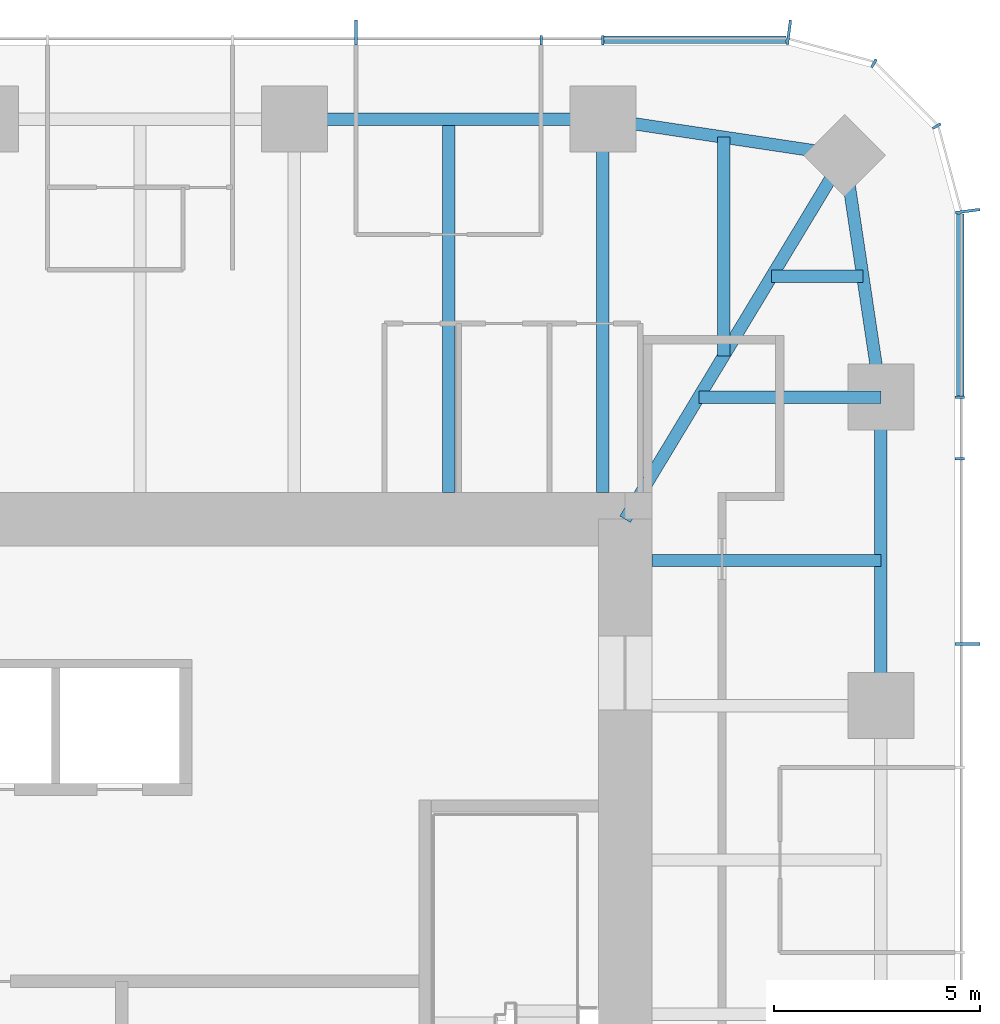
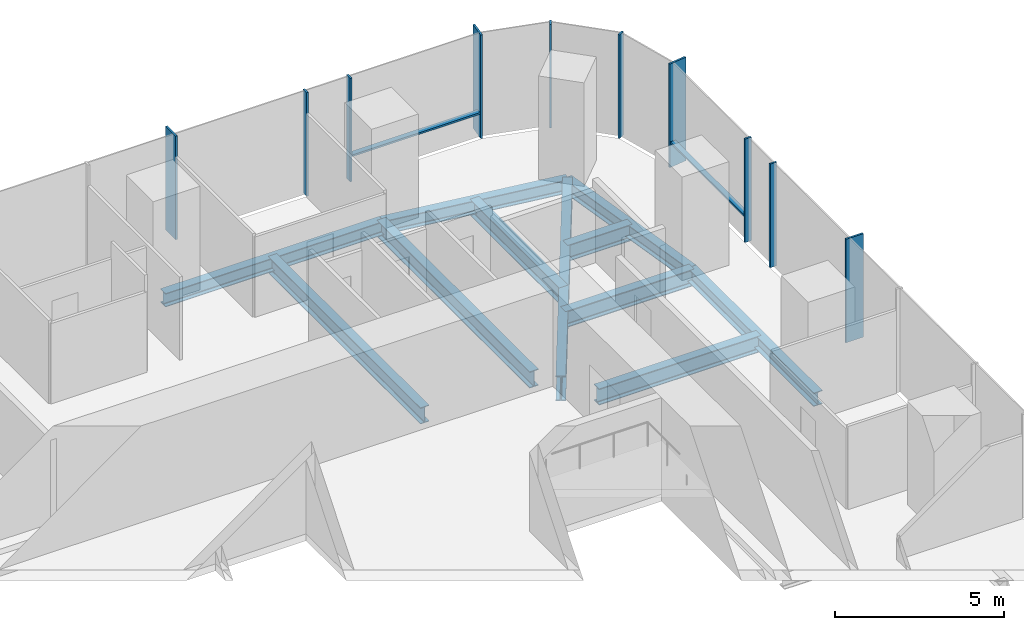
# One storey, part 6 of 12: 12 members, 11 beams, 3 elements without a shape of their own.
"""IFC4 building model written with IfcOpenShell, lengths in metres."""

from ifc_helpers import new_model, si_unit, direction, frame, origin, origin_2d, place, context, subcontext, project, spatial, rectangle, i_section, extrude, material, material_profile, profile_set, type_object, element, aggregate, save


model = new_model("IFC4")

# Units and contexts
model_context = context("Model", 3, precision=1e-05, world=origin(), true_north=direction((0.0, 1.0)))
body_context = subcontext(model_context, "Body", "Model", "MODEL_VIEW")
ifc_project = project(units=[si_unit("LENGTHUNIT", "METRE"), si_unit("AREAUNIT", "SQUARE_METRE"), si_unit("VOLUMEUNIT", "CUBIC_METRE"), si_unit("PLANEANGLEUNIT", "RADIAN"), si_unit("MASSUNIT", "GRAM", prefix="KILO")], contexts=[model_context])

# Site, building, storey
site_placement = place(None, origin())
site = spatial("IfcSite", under=ifc_project, at=site_placement, CompositionType="ELEMENT")
building_placement = place(site_placement, origin())
building = spatial("IfcBuilding", under=site, at=building_placement, Name="Khuree Lantern Residences", CompositionType="ELEMENT")
storey_placement = place(building_placement, frame((0.0, 0.0, 304.5)))
storey = spatial("IfcBuildingStorey", under=building, at=storey_placement, Name="L76", CompositionType="ELEMENT", Elevation=304.5)

# Beams
ifc_material_1 = material(Name="Steel S355", Category="steel")
ifc_material_profile_1 = material_profile(ifc_material_1, i_section(OverallWidth=0.300048828125, OverallDepth=0.590087890625, WebThickness=0.012939453125, FlangeThickness=0.02490234375, FilletRadius=0.027099609375, at=origin_2d()), Name="HE 600 A")
ifc_profile_set_1 = profile_set([ifc_material_profile_1], Name="Steel S355")
beam_type_1 = type_object("IfcBeamType", Name="B-42 SECONDARY BEAM HE 600 A", PredefinedType="BEAM", material=ifc_profile_set_1)
beam_1_placement = place(storey_placement, frame((11.219970703125, 21.699951171875, -0.544921875), z_axis=(0.0, -1.0, 0.0), x_axis=(1.0, 0.0, 0.0)))
element("IfcBeam", 1, at=beam_1_placement, inside=storey, type_object=beam_type_1, Name="Secondary beam N4", PredefinedType="BEAM", context=body_context, shape_type="SweptSolid", body=[
    extrude(i_section(OverallWidth=0.300048828125, OverallDepth=0.590087890625, WebThickness=0.012939453125, FlangeThickness=0.02490234375, FilletRadius=0.027099609375, at=origin_2d()), origin(), (0.0, 0.0, 1.0), 9.050048828125),
])
beam_2_placement = place(storey_placement, frame((17.890625, 21.2607421875, -0.544921875), z_axis=(0.0, -1.0, 0.0), x_axis=(1.0, 0.0, 0.0)))
element("IfcBeam", 2, at=beam_2_placement, inside=storey, type_object=beam_type_1, Name="Secondary beam N5", PredefinedType="BEAM", context=body_context, shape_type="SweptSolid", body=[
    extrude(i_section(OverallWidth=0.300048828125, OverallDepth=0.590087890625, WebThickness=0.012939453125, FlangeThickness=0.02490234375, FilletRadius=0.027099609375, at=origin_2d()), origin(), (0.0, 0.0, 1.0), 5.297607421875),
])
beam_3_placement = place(storey_placement, frame((21.2607421875, 17.890625, -0.544921875), z_axis=(-1.0, 0.0, 0.0), x_axis=(0.0, -1.0, 0.0)))
element("IfcBeam", 3, at=beam_3_placement, inside=storey, type_object=beam_type_1, Name="Secondary beam E1", PredefinedType="BEAM", context=body_context, shape_type="SweptSolid", body=[
    extrude(i_section(OverallWidth=0.300048828125, OverallDepth=0.590087890625, WebThickness=0.012939453125, FlangeThickness=0.02490234375, FilletRadius=0.027099609375, at=origin_2d()), origin(), (0.0, 0.0, 1.0), 2.207275390625),
])
beam_4_placement = place(storey_placement, frame((21.699951171875, 11.0, -0.544921875), z_axis=(-1.0, 0.0, 0.0), x_axis=(0.0, -1.0, 0.0)))
element("IfcBeam", 4, at=beam_4_placement, inside=storey, type_object=beam_type_1, Name="Secondary beam E2", PredefinedType="BEAM", context=body_context, shape_type="SweptSolid", body=[
    extrude(i_section(OverallWidth=0.300048828125, OverallDepth=0.590087890625, WebThickness=0.012939453125, FlangeThickness=0.02490234375, FilletRadius=0.027099609375, at=origin_2d()), origin(), (0.0, 0.0, 1.0), 5.550048828125),
])
ifc_material_profile_2 = material_profile(ifc_material_1, i_section(OverallWidth=0.300048828125, OverallDepth=0.489990234375, WebThickness=0.011962890625, FlangeThickness=0.02294921875, FilletRadius=0.027099609375, at=origin_2d()), Name="HE 500 A")
ifc_profile_set_2 = profile_set([ifc_material_profile_2], Name="Steel S355")
beam_type_2 = type_object("IfcBeamType", Name="E-42 SPANDREL BEAM HE 500 A", PredefinedType="SPANDREL", material=ifc_profile_set_2)
beam_5_placement = place(storey_placement, frame((7.47998046875, 21.699951171875, -0.4951171875), z_axis=(1.0, 0.0, 0.0), x_axis=(0.0, 1.0, 0.0)))
element("IfcBeam", 5, at=beam_5_placement, inside=storey, type_object=beam_type_2, Name="Spandrel beam N4", PredefinedType="SPANDREL", context=body_context, shape_type="SweptSolid", body=[
    extrude(i_section(OverallWidth=0.300048828125, OverallDepth=0.489990234375, WebThickness=0.011962890625, FlangeThickness=0.02294921875, FilletRadius=0.027099609375, at=origin_2d()), origin(), (0.0, 0.0, 1.0), 7.47998046875),
])
for number, where, z_axis, x_axis, name in (
    (6, (14.9599609375, 21.699951171875, -0.4951171875), (0.988949643299, -0.148251822985, 0.0), (0.148251822985, 0.988949643299, 0.0), "Spandrel beam N5"),
    (7, (20.8212890625, 20.8212890625, -0.4951171875), (0.148251822985, -0.988949643299, 0.0), (0.988949643299, 0.148251822985, 0.0), "Spandrel beam E1"),
):
    element("IfcBeam", number, at=place(storey_placement, frame(where, z_axis=z_axis, x_axis=x_axis)), inside=storey, type_object=beam_type_2, Name=name, PredefinedType="SPANDREL", context=body_context, shape_type="SweptSolid", body=[
        extrude(i_section(OverallWidth=0.300048828125, OverallDepth=0.489990234375, WebThickness=0.011962890625, FlangeThickness=0.02294921875, FilletRadius=0.027099609375, at=origin_2d()), origin(), (0.0, 0.0, 1.0), 5.9267578125),
    ])
beam_6_placement = place(storey_placement, frame((21.699951171875, 14.9599609375, -0.4951171875), z_axis=(0.0, -1.0, 0.0), x_axis=(1.0, 0.0, 0.0)))
element("IfcBeam", 8, at=beam_6_placement, inside=storey, type_object=beam_type_2, Name="Spandrel beam E2", PredefinedType="SPANDREL", context=body_context, shape_type="SweptSolid", body=[
    extrude(i_section(OverallWidth=0.300048828125, OverallDepth=0.489990234375, WebThickness=0.011962890625, FlangeThickness=0.02294921875, FilletRadius=0.027099609375, at=origin_2d()), origin(), (0.0, 0.0, 1.0), 7.47998046875),
])

# Curtain wall, member
ifc_material_2 = material(Name="Bronze anodised aluminium", Category="aluminium")
curtain_wall_type_1 = type_object("IfcCurtainWallType", Name="CW-T1 TOWER FACE CURTAIN WALL", PredefinedType="USERDEFINED", material=ifc_material_2)
curtain_wall_1_placement = place(storey_placement, origin())
curtain_wall_1 = element("IfcCurtainWall", 9, at=curtain_wall_1_placement, inside=storey, type_object=curtain_wall_type_1, Name="L76 EAST FACE CURTAIN WALL", ObjectType="Stick-built curtain wall", PredefinedType="USERDEFINED")
ifc_material_profile_3 = material_profile(ifc_material_2, rectangle(XDim=0.06494140625, YDim=0.60009765625, at=origin_2d()), Name="F1 65X600")
ifc_profile_set_3 = profile_set([ifc_material_profile_3], Name="Bronze anodised aluminium")
member_type_1 = type_object("IfcMemberType", Name="F1 BRONZE FIN MULLION TOWER 65X600", PredefinedType="MULLION", material=ifc_profile_set_3)
member_1_placement = place(storey_placement, frame((23.800048828125, 8.97607421875, 0.0), z_axis=(0.0, 0.0, 1.0), x_axis=(0.0, 1.0, 0.0)))
member_1 = element("IfcMember", 10, at=member_1_placement, type_object=member_type_1, Name="L76 EAST FACE FIN MULLION 12", PredefinedType="MULLION", context=body_context, shape_type="SweptSolid", body=[
    extrude(rectangle(XDim=0.06494140625, YDim=0.60009765625, at=origin_2d()), origin(), (0.0, 0.0, 1.0), 3.75),
])

curtain_wall_type_2 = type_object("IfcCurtainWallType", Name="CW-T2 TOWER CORNER CURTAIN WALL", PredefinedType="USERDEFINED", material=ifc_material_2)
curtain_wall_2_placement = place(storey_placement, origin())
curtain_wall_2 = element("IfcCurtainWall", 11, at=curtain_wall_2_placement, inside=storey, type_object=curtain_wall_type_2, Name="L76 NORTH-EAST CORNER CURTAIN WALL", ObjectType="Faceted corner curtain wall", PredefinedType="USERDEFINED")
member_2_placement = place(storey_placement, frame((23.800048828125, 19.4697265625, 0.0), z_axis=(0.0, 0.0, 1.0), x_axis=(-0.130526125236, 0.991444870192, 0.0)))
member_2 = element("IfcMember", 12, at=member_2_placement, type_object=member_type_1, Name="L76 NORTH-EAST CORNER FIN MULLION 15", PredefinedType="MULLION", context=body_context, shape_type="SweptSolid", body=[
    extrude(rectangle(XDim=0.06494140625, YDim=0.60009765625, at=origin_2d()), origin(), (0.0, 0.0, 1.0), 3.75),
])

# Curtain wall, members
curtain_wall_3_placement = place(storey_placement, origin())
curtain_wall_3 = element("IfcCurtainWall", 13, at=curtain_wall_3_placement, inside=storey, type_object=curtain_wall_type_1, Name="L76 NORTH FACE CURTAIN WALL", ObjectType="Stick-built curtain wall", PredefinedType="USERDEFINED")
member_3_placement = place(storey_placement, frame((19.4697265625, 23.800048828125, 0.0), z_axis=(0.0, 0.0, 1.0), x_axis=(-0.991444870192, 0.130526125236, 0.0)))
member_3 = element("IfcMember", 14, at=member_3_placement, type_object=member_type_1, Name="L76 NORTH FACE FIN MULLION 18", PredefinedType="MULLION", context=body_context, shape_type="SweptSolid", body=[
    extrude(rectangle(XDim=0.06494140625, YDim=0.60009765625, at=origin_2d()), origin(), (0.0, 0.0, 1.0), 3.75),
])
member_4_placement = place(storey_placement, frame((8.97607421875, 23.800048828125, 0.0), z_axis=(0.0, 0.0, 1.0), x_axis=(-1.0, 0.0, 0.0)))
member_4 = element("IfcMember", 15, at=member_4_placement, type_object=member_type_1, Name="L76 NORTH FACE FIN MULLION 21", PredefinedType="MULLION", context=body_context, shape_type="SweptSolid", body=[
    extrude(rectangle(XDim=0.06494140625, YDim=0.60009765625, at=origin_2d()), origin(), (0.0, 0.0, 1.0), 3.75),
])

# Beams
ifc_material_profile_4 = material_profile(ifc_material_1, i_section(OverallWidth=0.300048828125, OverallDepth=0.60009765625, WebThickness=0.015380859375, FlangeThickness=0.030029296875, FilletRadius=0.027099609375, at=origin_2d()), Name="HE 600 B")
ifc_profile_set_4 = profile_set([ifc_material_profile_4], Name="Steel S355")
beam_type_3 = type_object("IfcBeamType", Name="G-42 GIRDER HE 600 B", PredefinedType="BEAM", material=ifc_profile_set_4)
beam_7_placement = place(storey_placement, frame((14.9599609375, 21.699951171875, -0.550048828125), z_axis=(0.0, -1.0, 0.0), x_axis=(1.0, 0.0, 0.0)))
element("IfcBeam", 16, at=beam_7_placement, inside=storey, type_object=beam_type_3, Name="Girder N5", PredefinedType="BEAM", context=body_context, shape_type="SweptSolid", body=[
    extrude(i_section(OverallWidth=0.300048828125, OverallDepth=0.60009765625, WebThickness=0.015380859375, FlangeThickness=0.030029296875, FilletRadius=0.027099609375, at=origin_2d()), origin(), (0.0, 0.0, 1.0), 9.050048828125),
])
beam_8_placement = place(storey_placement, frame((21.699951171875, 14.9599609375, -0.550048828125), z_axis=(-1.0, 0.0, 0.0), x_axis=(0.0, -1.0, 0.0)))
element("IfcBeam", 17, at=beam_8_placement, inside=storey, type_object=beam_type_3, Name="Girder E1", PredefinedType="BEAM", context=body_context, shape_type="SweptSolid", body=[
    extrude(i_section(OverallWidth=0.300048828125, OverallDepth=0.60009765625, WebThickness=0.015380859375, FlangeThickness=0.030029296875, FilletRadius=0.027099609375, at=origin_2d()), origin(), (0.0, 0.0, 1.0), 4.414306640625),
])
ifc_material_profile_5 = material_profile(ifc_material_1, i_section(OverallWidth=0.300048828125, OverallDepth=0.89990234375, WebThickness=0.0185546875, FlangeThickness=0.034912109375, FilletRadius=0.030029296875, at=origin_2d()), Name="HE 900 B")
ifc_profile_set_5 = profile_set([ifc_material_profile_5], Name="Steel S355")
beam_type_4 = type_object("IfcBeamType", Name="GD-42 CORNER GIRDER HE 900 B", PredefinedType="BEAM", material=ifc_profile_set_5)
beam_9_placement = place(storey_placement, frame((20.8212890625, 20.8212890625, -0.699951171875), z_axis=(-0.516529577604, -0.856269347495, 0.0), x_axis=(0.856269347495, -0.516529577604, 0.0)))
element("IfcBeam", 18, at=beam_9_placement, inside=storey, type_object=beam_type_4, Name="Corner girder NE", PredefinedType="BEAM", context=body_context, shape_type="SweptSolid", body=[
    extrude(i_section(OverallWidth=0.300048828125, OverallDepth=0.89990234375, WebThickness=0.0185546875, FlangeThickness=0.034912109375, FilletRadius=0.030029296875, at=origin_2d()), origin(), (0.0, 0.0, 1.0), 10.302001953125),
])

# Member
ifc_material_profile_6 = material_profile(ifc_material_2, rectangle(XDim=0.06494140625, YDim=0.219970703125, at=origin_2d()), Name="M1 65X220")
ifc_profile_set_6 = profile_set([ifc_material_profile_6], Name="Bronze anodised aluminium")
member_type_2 = type_object("IfcMemberType", Name="M1 BRONZE MULLION TOWER 65X220", PredefinedType="MULLION", material=ifc_profile_set_6)
member_5_placement = place(storey_placement, frame((23.610107421875, 13.464111328125, 0.0), z_axis=(0.0, 0.0, 1.0), x_axis=(0.0, 1.0, 0.0)))
member_5 = element("IfcMember", 19, at=member_5_placement, type_object=member_type_2, Name="L76 EAST FACE MULLION 13", PredefinedType="MULLION", context=body_context, shape_type="SweptSolid", body=[
    extrude(rectangle(XDim=0.06494140625, YDim=0.219970703125, at=origin_2d()), origin(), (0.0, 0.0, 1.0), 3.75),
])

member_6_placement = place(storey_placement, frame((23.610107421875, 14.9599609375, 0.0), z_axis=(0.0, 0.0, 1.0), x_axis=(0.0, 1.0, 0.0)))
member_6 = element("IfcMember", 20, at=member_6_placement, type_object=member_type_2, Name="L76 EAST FACE MULLION 14", PredefinedType="MULLION", context=body_context, shape_type="SweptSolid", body=[
    extrude(rectangle(XDim=0.06494140625, YDim=0.219970703125, at=origin_2d()), origin(), (0.0, 0.0, 1.0), 3.75),
])

member_7_placement = place(storey_placement, frame((23.052734375, 21.530029296875, 0.0), z_axis=(0.0, 0.0, 1.0), x_axis=(-0.49999994149, 0.866025437565, 0.0)))
member_7 = element("IfcMember", 21, at=member_7_placement, type_object=member_type_2, Name="L76 NORTH-EAST CORNER MULLION 16", PredefinedType="MULLION", context=body_context, shape_type="SweptSolid", body=[
    extrude(rectangle(XDim=0.06494140625, YDim=0.219970703125, at=origin_2d()), origin(), (0.0, 0.0, 1.0), 3.75),
])

member_8_placement = place(storey_placement, frame((21.530029296875, 23.052734375, 0.0), z_axis=(0.0, 0.0, 1.0), x_axis=(-0.866025437565, 0.49999994149, 0.0)))
member_8 = element("IfcMember", 22, at=member_8_placement, type_object=member_type_2, Name="L76 NORTH-EAST CORNER MULLION 17", PredefinedType="MULLION", context=body_context, shape_type="SweptSolid", body=[
    extrude(rectangle(XDim=0.06494140625, YDim=0.219970703125, at=origin_2d()), origin(), (0.0, 0.0, 1.0), 3.75),
])

aggregate(curtain_wall_2, [member_2, member_7, member_8])

member_9_placement = place(storey_placement, frame((14.9599609375, 23.610107421875, 0.0), z_axis=(0.0, 0.0, 1.0), x_axis=(-1.0, 0.0, 0.0)))
member_9 = element("IfcMember", 23, at=member_9_placement, type_object=member_type_2, Name="L76 NORTH FACE MULLION 19", PredefinedType="MULLION", context=body_context, shape_type="SweptSolid", body=[
    extrude(rectangle(XDim=0.06494140625, YDim=0.219970703125, at=origin_2d()), origin(), (0.0, 0.0, 1.0), 3.75),
])

member_10_placement = place(storey_placement, frame((13.464111328125, 23.610107421875, 0.0), z_axis=(0.0, 0.0, 1.0), x_axis=(-1.0, 0.0, 0.0)))
member_10 = element("IfcMember", 24, at=member_10_placement, type_object=member_type_2, Name="L76 NORTH FACE MULLION 20", PredefinedType="MULLION", context=body_context, shape_type="SweptSolid", body=[
    extrude(rectangle(XDim=0.06494140625, YDim=0.219970703125, at=origin_2d()), origin(), (0.0, 0.0, 1.0), 3.75),
])

ifc_material_profile_7 = material_profile(ifc_material_2, rectangle(XDim=0.179931640625, YDim=0.06494140625, at=origin_2d()), Name="T1 180X65")
ifc_profile_set_7 = profile_set([ifc_material_profile_7], Name="Bronze anodised aluminium")
member_type_3 = type_object("IfcMemberType", Name="TRANSOM T1 TOWER 180X65", PredefinedType="USERDEFINED", material=ifc_profile_set_7)
member_11_placement = place(storey_placement, frame((23.6201171875, 14.992431640625, 0.89990234375), z_axis=(0.0, 1.0, 0.0), x_axis=(-1.0, 0.0, 0.0)))
member_11 = element("IfcMember", 25, at=member_11_placement, type_object=member_type_3, Name="L76 EAST FACE TRANSOM 14.1", ObjectType="Transom", PredefinedType="USERDEFINED", context=body_context, shape_type="SweptSolid", body=[
    extrude(rectangle(XDim=0.179931640625, YDim=0.06494140625, at=origin_2d()), origin(), (0.0, 0.0, 1.0), 4.408935546875),
])

aggregate(curtain_wall_1, [member_1, member_5, member_6, member_11])

member_12_placement = place(storey_placement, frame((19.4013671875, 23.6201171875, 0.89990234375), z_axis=(-1.0, 0.0, 0.0), x_axis=(0.0, -1.0, 0.0)))
member_12 = element("IfcMember", 26, at=member_12_placement, type_object=member_type_3, Name="L76 NORTH FACE TRANSOM 18.1", ObjectType="Transom", PredefinedType="USERDEFINED", context=body_context, shape_type="SweptSolid", body=[
    extrude(rectangle(XDim=0.179931640625, YDim=0.06494140625, at=origin_2d()), origin(), (0.0, 0.0, 1.0), 4.408935546875),
])

aggregate(curtain_wall_3, [member_3, member_9, member_10, member_4, member_12])

save(model, "model.ifc")
